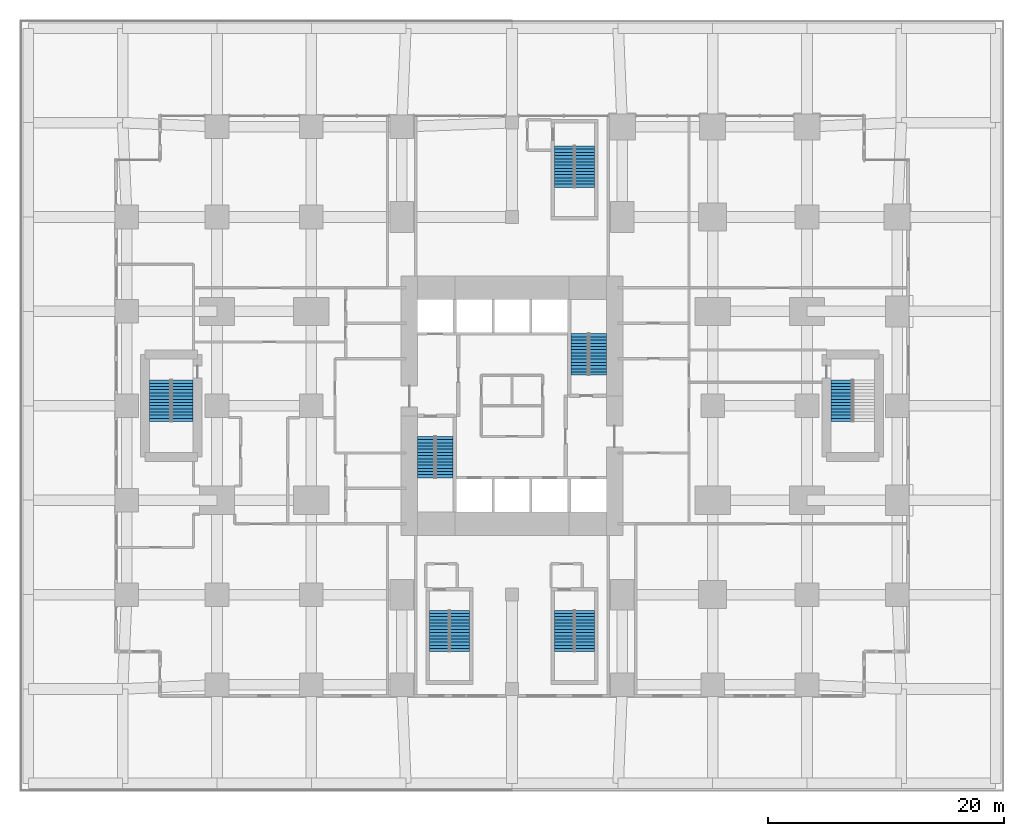
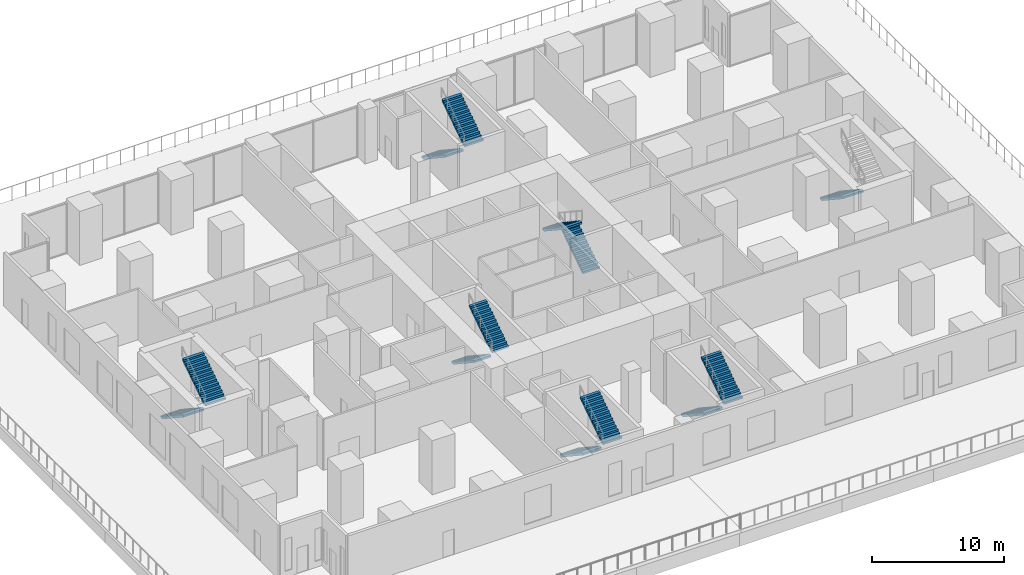
# One storey, part 12 of 16: 13 stair flights, 7 elements without a shape of their own.
"""IFC4 building model written with IfcOpenShell, lengths in metres."""

from ifc_helpers import new_model, si_unit, direction, frame, origin, place, context, subcontext, project, spatial, polyline, outline, extrude, material, type_object, element, aggregate, save


model = new_model("IFC4")

# Units and contexts
model_context = context("Model", 3, precision=1e-05, world=origin(), true_north=direction((0.0, 1.0)))
body_context = subcontext(model_context, "Body", "Model", "MODEL_VIEW")
ifc_project = project(units=[si_unit("LENGTHUNIT", "METRE"), si_unit("AREAUNIT", "SQUARE_METRE"), si_unit("VOLUMEUNIT", "CUBIC_METRE"), si_unit("PLANEANGLEUNIT", "RADIAN"), si_unit("MASSUNIT", "GRAM", prefix="KILO")], contexts=[model_context])

# Site, building, storey
site_placement = place(None, origin())
site = spatial("IfcSite", under=ifc_project, at=site_placement, CompositionType="ELEMENT")
building_placement = place(site_placement, origin())
building = spatial("IfcBuilding", under=site, at=building_placement, Name="Cleftline Residences", CompositionType="ELEMENT")
storey_placement = place(building_placement, frame((0.0, 0.0, 16.0)))
storey = spatial("IfcBuildingStorey", under=building, at=storey_placement, Name="L03", CompositionType="ELEMENT", Elevation=16.0)

# Stair, stair flights
ifc_material_1 = material(Name="Concrete B45, stone treads", Category="masonry")
stair_type_1 = type_object("IfcStairType", Name="STAIR A 1450 WIDE 179 RISER", PredefinedType="HALF_TURN_STAIR", material=ifc_material_1)
stair_1_placement = place(storey_placement, origin())
stair_1 = element("IfcStair", 1, at=stair_1_placement, inside=storey, type_object=stair_type_1, Name="Stair A L03", PredefinedType="HALF_TURN_STAIR")
ifc_material_2 = material(Name="Concrete B45", Category="concrete")
stair_flight_type_1 = type_object("IfcStairFlightType", Name="STAIR A FLIGHT 1450X179", PredefinedType="STRAIGHT", material=ifc_material_2)
stair_flight_1_placement = place(storey_placement, frame((25.72509765625, 21.39990234375, 0.0), z_axis=(0.0, 0.0, 1.0), x_axis=(0.0, -1.0, 0.0)))
stair_flight_1 = element("IfcStairFlight", 2, at=stair_flight_1_placement, type_object=stair_flight_type_1, Name="ST-A flight 1", NumberOfRisers=14, NumberOfTreads=13, PredefinedType="STRAIGHT", RiserHeight=0.178571429, TreadLength=0.27, context=body_context, shape_type="SweptSolid", body=[
    extrude(outline(polyline([(0.0, 0.0), (0.0, 0.013671875), (0.0, 0.027587890625), (0.0, 0.041259765625), (0.0, 0.054931640625), (0.0, 0.068603515625), (0.0, 0.08251953125), (0.0, 0.09619140625), (0.0, 0.10986328125), (0.0, 0.12353515625), (0.0, 0.137451171875), (0.0, 0.151123046875), (0.0, 0.164794921875), (0.0, 0.178466796875), (0.27001953125, 0.178466796875), (0.27001953125, 0.357177734375), (0.5400390625, 0.357177734375), (0.5400390625, 0.53564453125), (0.81005859375, 0.53564453125), (0.81005859375, 0.71435546875), (1.080078125, 0.71435546875), (1.080078125, 0.892822265625), (1.35009765625, 0.892822265625), (1.35009765625, 1.071533203125), (1.6201171875, 1.071533203125), (1.6201171875, 1.25), (1.889892578125, 1.25), (1.889892578125, 1.428466796875), (2.159912109375, 1.428466796875), (2.159912109375, 1.607177734375), (2.429931640625, 1.607177734375), (2.429931640625, 1.78564453125), (2.699951171875, 1.78564453125), (2.699951171875, 1.96435546875), (2.969970703125, 1.96435546875), (2.969970703125, 2.142822265625), (3.239990234375, 2.142822265625), (3.239990234375, 2.321533203125), (3.510009765625, 2.321533203125), (3.510009765625, 2.5), (3.510009765625, 2.472412109375), (3.510009765625, 2.44482421875), (3.510009765625, 2.417236328125), (3.510009765625, 2.3896484375), (3.510009765625, 2.3623046875), (3.510009765625, 2.334716796875), (3.510009765625, 2.30712890625), (3.510009765625, 2.279541015625), (3.510009765625, 2.251953125), (3.510009765625, 2.224365234375), (3.510009765625, 2.19677734375), (3.510009765625, 2.169189453125), (3.510009765625, 2.1416015625), (0.271728515625, 0.0), (0.0, 0.0)])), frame((0.0, 0.72509765625, 0.0), z_axis=(0.0, -1.0, 0.0), x_axis=(1.0, 0.0, 0.0)), (0.0, 0.0, 1.0), 1.449951171875),
])
stair_flight_2_placement = place(storey_placement, frame((27.27490234375, 17.889892578125, 2.5), z_axis=(0.0, 0.0, 1.0), x_axis=(0.0, 1.0, 0.0)))
stair_flight_2 = element("IfcStairFlight", 3, at=stair_flight_2_placement, type_object=stair_flight_type_1, Name="ST-A flight 2", NumberOfRisers=14, NumberOfTreads=13, PredefinedType="STRAIGHT", RiserHeight=0.178571429, TreadLength=0.27, context=body_context, shape_type="SweptSolid", body=[
    extrude(outline(polyline([(0.0, 0.0), (0.0, 0.013671875), (0.0, 0.027587890625), (0.0, 0.041259765625), (0.0, 0.054931640625), (0.0, 0.068603515625), (0.0, 0.08251953125), (0.0, 0.09619140625), (0.0, 0.10986328125), (0.0, 0.12353515625), (0.0, 0.137451171875), (0.0, 0.151123046875), (0.0, 0.164794921875), (0.0, 0.178466796875), (0.27001953125, 0.178466796875), (0.27001953125, 0.357177734375), (0.5400390625, 0.357177734375), (0.5400390625, 0.53564453125), (0.81005859375, 0.53564453125), (0.81005859375, 0.71435546875), (1.080078125, 0.71435546875), (1.080078125, 0.892822265625), (1.35009765625, 0.892822265625), (1.35009765625, 1.071533203125), (1.6201171875, 1.071533203125), (1.6201171875, 1.25), (1.889892578125, 1.25), (1.889892578125, 1.428466796875), (2.159912109375, 1.428466796875), (2.159912109375, 1.607177734375), (2.429931640625, 1.607177734375), (2.429931640625, 1.78564453125), (2.699951171875, 1.78564453125), (2.699951171875, 1.96435546875), (2.969970703125, 1.96435546875), (2.969970703125, 2.142822265625), (3.239990234375, 2.142822265625), (3.239990234375, 2.321533203125), (3.510009765625, 2.321533203125), (3.510009765625, 2.5), (3.510009765625, 2.472412109375), (3.510009765625, 2.44482421875), (3.510009765625, 2.417236328125), (3.510009765625, 2.3896484375), (3.510009765625, 2.3623046875), (3.510009765625, 2.334716796875), (3.510009765625, 2.30712890625), (3.510009765625, 2.279541015625), (3.510009765625, 2.251953125), (3.510009765625, 2.224365234375), (3.510009765625, 2.19677734375), (3.510009765625, 2.169189453125), (3.510009765625, 2.1416015625), (0.271728515625, 0.0), (0.0, 0.0)])), frame((0.0, 0.72509765625, 0.0), z_axis=(0.0, -1.0, 0.0), x_axis=(1.0, 0.0, 0.0)), (0.0, 0.0, 1.0), 1.449951171875),
])
aggregate(stair_1, [stair_flight_1, stair_flight_2])

ifc_material_3 = material(Name="Concrete B45, stone treads", Category="masonry")
stair_type_2 = type_object("IfcStairType", Name="STAIR B 1450 WIDE 179 RISER", PredefinedType="HALF_TURN_STAIR", material=ifc_material_3)
stair_2_placement = place(storey_placement, origin())
stair_2 = element("IfcStair", 4, at=stair_2_placement, inside=storey, type_object=stair_type_2, Name="Stair B L03", PredefinedType="HALF_TURN_STAIR")
ifc_material_4 = material(Name="Concrete B45", Category="concrete")
stair_flight_type_2 = type_object("IfcStairFlightType", Name="STAIR B FLIGHT 1450X179", PredefinedType="STRAIGHT", material=ifc_material_4)
stair_flight_3_placement = place(storey_placement, frame((40.27490234375, 26.60009765625, 0.0), z_axis=(0.0, 0.0, 1.0), x_axis=(0.0, 1.0, 0.0)))
stair_flight_3 = element("IfcStairFlight", 5, at=stair_flight_3_placement, type_object=stair_flight_type_2, Name="ST-B flight 1", NumberOfRisers=14, NumberOfTreads=13, PredefinedType="STRAIGHT", RiserHeight=0.178571429, TreadLength=0.27, context=body_context, shape_type="SweptSolid", body=[
    extrude(outline(polyline([(0.0, 0.0), (0.0, 0.013671875), (0.0, 0.027587890625), (0.0, 0.041259765625), (0.0, 0.054931640625), (0.0, 0.068603515625), (0.0, 0.08251953125), (0.0, 0.09619140625), (0.0, 0.10986328125), (0.0, 0.12353515625), (0.0, 0.137451171875), (0.0, 0.151123046875), (0.0, 0.164794921875), (0.0, 0.178466796875), (0.27001953125, 0.178466796875), (0.27001953125, 0.357177734375), (0.5400390625, 0.357177734375), (0.5400390625, 0.53564453125), (0.81005859375, 0.53564453125), (0.81005859375, 0.71435546875), (1.080078125, 0.71435546875), (1.080078125, 0.892822265625), (1.35009765625, 0.892822265625), (1.35009765625, 1.071533203125), (1.6201171875, 1.071533203125), (1.6201171875, 1.25), (1.889892578125, 1.25), (1.889892578125, 1.428466796875), (2.159912109375, 1.428466796875), (2.159912109375, 1.607177734375), (2.429931640625, 1.607177734375), (2.429931640625, 1.78564453125), (2.699951171875, 1.78564453125), (2.699951171875, 1.96435546875), (2.969970703125, 1.96435546875), (2.969970703125, 2.142822265625), (3.239990234375, 2.142822265625), (3.239990234375, 2.321533203125), (3.510009765625, 2.321533203125), (3.510009765625, 2.5), (3.510009765625, 2.472412109375), (3.510009765625, 2.44482421875), (3.510009765625, 2.417236328125), (3.510009765625, 2.3896484375), (3.510009765625, 2.3623046875), (3.510009765625, 2.334716796875), (3.510009765625, 2.30712890625), (3.510009765625, 2.279541015625), (3.510009765625, 2.251953125), (3.510009765625, 2.224365234375), (3.510009765625, 2.19677734375), (3.510009765625, 2.169189453125), (3.510009765625, 2.1416015625), (0.271728515625, 0.0), (0.0, 0.0)])), frame((0.0, 0.72509765625, 0.0), z_axis=(0.0, -1.0, 0.0), x_axis=(1.0, 0.0, 0.0)), (0.0, 0.0, 1.0), 1.449951171875),
])
stair_flight_4_placement = place(storey_placement, frame((38.72509765625, 30.110107421875, 2.5), z_axis=(0.0, 0.0, 1.0), x_axis=(0.0, -1.0, 0.0)))
stair_flight_4 = element("IfcStairFlight", 6, at=stair_flight_4_placement, type_object=stair_flight_type_2, Name="ST-B flight 2", NumberOfRisers=14, NumberOfTreads=13, PredefinedType="STRAIGHT", RiserHeight=0.178571429, TreadLength=0.27, context=body_context, shape_type="SweptSolid", body=[
    extrude(outline(polyline([(0.0, 0.0), (0.0, 0.013671875), (0.0, 0.027587890625), (0.0, 0.041259765625), (0.0, 0.054931640625), (0.0, 0.068603515625), (0.0, 0.08251953125), (0.0, 0.09619140625), (0.0, 0.10986328125), (0.0, 0.12353515625), (0.0, 0.137451171875), (0.0, 0.151123046875), (0.0, 0.164794921875), (0.0, 0.178466796875), (0.27001953125, 0.178466796875), (0.27001953125, 0.357177734375), (0.5400390625, 0.357177734375), (0.5400390625, 0.53564453125), (0.81005859375, 0.53564453125), (0.81005859375, 0.71435546875), (1.080078125, 0.71435546875), (1.080078125, 0.892822265625), (1.35009765625, 0.892822265625), (1.35009765625, 1.071533203125), (1.6201171875, 1.071533203125), (1.6201171875, 1.25), (1.889892578125, 1.25), (1.889892578125, 1.428466796875), (2.159912109375, 1.428466796875), (2.159912109375, 1.607177734375), (2.429931640625, 1.607177734375), (2.429931640625, 1.78564453125), (2.699951171875, 1.78564453125), (2.699951171875, 1.96435546875), (2.969970703125, 1.96435546875), (2.969970703125, 2.142822265625), (3.239990234375, 2.142822265625), (3.239990234375, 2.321533203125), (3.510009765625, 2.321533203125), (3.510009765625, 2.5), (3.510009765625, 2.472412109375), (3.510009765625, 2.44482421875), (3.510009765625, 2.417236328125), (3.510009765625, 2.3896484375), (3.510009765625, 2.3623046875), (3.510009765625, 2.334716796875), (3.510009765625, 2.30712890625), (3.510009765625, 2.279541015625), (3.510009765625, 2.251953125), (3.510009765625, 2.224365234375), (3.510009765625, 2.19677734375), (3.510009765625, 2.169189453125), (3.510009765625, 2.1416015625), (0.271728515625, 0.0), (0.0, 0.0)])), frame((0.0, 0.72509765625, 0.0), z_axis=(0.0, -1.0, 0.0), x_axis=(1.0, 0.0, 0.0)), (0.0, 0.0, 1.0), 1.449951171875),
])
aggregate(stair_2, [stair_flight_3, stair_flight_4])

ifc_material_5 = material(Name="Concrete B45, stone treads", Category="masonry")
stair_type_3 = type_object("IfcStairType", Name="STAIR C 1630 WIDE 179 RISER", PredefinedType="HALF_TURN_STAIR", material=ifc_material_5)
stair_3_placement = place(storey_placement, origin())
stair_3 = element("IfcStair", 7, at=stair_3_placement, inside=storey, type_object=stair_type_3, Name="Stair C L03", PredefinedType="HALF_TURN_STAIR")
ifc_material_6 = material(Name="Concrete B45", Category="concrete")
stair_flight_type_3 = type_object("IfcStairFlightType", Name="STAIR C FLIGHT 1630X179", PredefinedType="STRAIGHT", material=ifc_material_6)
stair_flight_5_placement = place(storey_placement, frame((26.81494140625, 6.669921875, 0.0), z_axis=(0.0, 0.0, 1.0), x_axis=(0.0, -1.0, 0.0)))
stair_flight_5 = element("IfcStairFlight", 8, at=stair_flight_5_placement, type_object=stair_flight_type_3, Name="ST-C flight 1", NumberOfRisers=14, NumberOfTreads=13, PredefinedType="STRAIGHT", RiserHeight=0.178571429, TreadLength=0.27, context=body_context, shape_type="SweptSolid", body=[
    extrude(outline(polyline([(0.0, 0.0), (0.0, 0.013671875), (0.0, 0.027587890625), (0.0, 0.041259765625), (0.0, 0.054931640625), (0.0, 0.068603515625), (0.0, 0.08251953125), (0.0, 0.09619140625), (0.0, 0.10986328125), (0.0, 0.12353515625), (0.0, 0.137451171875), (0.0, 0.151123046875), (0.0, 0.164794921875), (0.0, 0.178466796875), (0.27001953125, 0.178466796875), (0.27001953125, 0.357177734375), (0.5400390625, 0.357177734375), (0.5400390625, 0.53564453125), (0.81005859375, 0.53564453125), (0.81005859375, 0.71435546875), (1.080078125, 0.71435546875), (1.080078125, 0.892822265625), (1.35009765625, 0.892822265625), (1.35009765625, 1.071533203125), (1.6201171875, 1.071533203125), (1.6201171875, 1.25), (1.889892578125, 1.25), (1.889892578125, 1.428466796875), (2.159912109375, 1.428466796875), (2.159912109375, 1.607177734375), (2.429931640625, 1.607177734375), (2.429931640625, 1.78564453125), (2.699951171875, 1.78564453125), (2.699951171875, 1.96435546875), (2.969970703125, 1.96435546875), (2.969970703125, 2.142822265625), (3.239990234375, 2.142822265625), (3.239990234375, 2.321533203125), (3.510009765625, 2.321533203125), (3.510009765625, 2.5), (3.510009765625, 2.472412109375), (3.510009765625, 2.44482421875), (3.510009765625, 2.417236328125), (3.510009765625, 2.3896484375), (3.510009765625, 2.3623046875), (3.510009765625, 2.334716796875), (3.510009765625, 2.30712890625), (3.510009765625, 2.279541015625), (3.510009765625, 2.251953125), (3.510009765625, 2.224365234375), (3.510009765625, 2.19677734375), (3.510009765625, 2.169189453125), (3.510009765625, 2.1416015625), (0.271728515625, 0.0), (0.0, 0.0)])), frame((0.0, 0.81494140625, 0.0), z_axis=(0.0, -1.0, 0.0), x_axis=(1.0, 0.0, 0.0)), (0.0, 0.0, 1.0), 1.6298828125),
])
stair_flight_6_placement = place(storey_placement, frame((28.5849609375, 3.159912109375, 2.5), z_axis=(0.0, 0.0, 1.0), x_axis=(0.0, 1.0, 0.0)))
stair_flight_6 = element("IfcStairFlight", 9, at=stair_flight_6_placement, type_object=stair_flight_type_3, Name="ST-C flight 2", NumberOfRisers=14, NumberOfTreads=13, PredefinedType="STRAIGHT", RiserHeight=0.178571429, TreadLength=0.27, context=body_context, shape_type="SweptSolid", body=[
    extrude(outline(polyline([(0.0, 0.0), (0.0, 0.013671875), (0.0, 0.027587890625), (0.0, 0.041259765625), (0.0, 0.054931640625), (0.0, 0.068603515625), (0.0, 0.08251953125), (0.0, 0.09619140625), (0.0, 0.10986328125), (0.0, 0.12353515625), (0.0, 0.137451171875), (0.0, 0.151123046875), (0.0, 0.164794921875), (0.0, 0.178466796875), (0.27001953125, 0.178466796875), (0.27001953125, 0.357177734375), (0.5400390625, 0.357177734375), (0.5400390625, 0.53564453125), (0.81005859375, 0.53564453125), (0.81005859375, 0.71435546875), (1.080078125, 0.71435546875), (1.080078125, 0.892822265625), (1.35009765625, 0.892822265625), (1.35009765625, 1.071533203125), (1.6201171875, 1.071533203125), (1.6201171875, 1.25), (1.889892578125, 1.25), (1.889892578125, 1.428466796875), (2.159912109375, 1.428466796875), (2.159912109375, 1.607177734375), (2.429931640625, 1.607177734375), (2.429931640625, 1.78564453125), (2.699951171875, 1.78564453125), (2.699951171875, 1.96435546875), (2.969970703125, 1.96435546875), (2.969970703125, 2.142822265625), (3.239990234375, 2.142822265625), (3.239990234375, 2.321533203125), (3.510009765625, 2.321533203125), (3.510009765625, 2.5), (3.510009765625, 2.472412109375), (3.510009765625, 2.44482421875), (3.510009765625, 2.417236328125), (3.510009765625, 2.3896484375), (3.510009765625, 2.3623046875), (3.510009765625, 2.334716796875), (3.510009765625, 2.30712890625), (3.510009765625, 2.279541015625), (3.510009765625, 2.251953125), (3.510009765625, 2.224365234375), (3.510009765625, 2.19677734375), (3.510009765625, 2.169189453125), (3.510009765625, 2.1416015625), (0.271728515625, 0.0), (0.0, 0.0)])), frame((0.0, 0.81494140625, 0.0), z_axis=(0.0, -1.0, 0.0), x_axis=(1.0, 0.0, 0.0)), (0.0, 0.0, 1.0), 1.6298828125),
])
aggregate(stair_3, [stair_flight_5, stair_flight_6])

ifc_material_7 = material(Name="Concrete B45, stone treads", Category="masonry")
stair_type_4 = type_object("IfcStairType", Name="STAIR C2 1630 WIDE 179 RISER", PredefinedType="HALF_TURN_STAIR", material=ifc_material_7)
stair_4_placement = place(storey_placement, origin())
stair_4 = element("IfcStair", 10, at=stair_4_placement, inside=storey, type_object=stair_type_4, Name="Stair C2 L03", PredefinedType="HALF_TURN_STAIR")
ifc_material_8 = material(Name="Concrete B45", Category="concrete")
stair_flight_type_4 = type_object("IfcStairFlightType", Name="STAIR C2 FLIGHT 1630X179", PredefinedType="STRAIGHT", material=ifc_material_8)
stair_flight_7_placement = place(storey_placement, frame((37.4150390625, 6.669921875, 0.0), z_axis=(0.0, 0.0, 1.0), x_axis=(0.0, -1.0, 0.0)))
stair_flight_7 = element("IfcStairFlight", 11, at=stair_flight_7_placement, type_object=stair_flight_type_4, Name="ST-C2 flight 1", NumberOfRisers=14, NumberOfTreads=13, PredefinedType="STRAIGHT", RiserHeight=0.178571429, TreadLength=0.27, context=body_context, shape_type="SweptSolid", body=[
    extrude(outline(polyline([(0.0, 0.0), (0.0, 0.013671875), (0.0, 0.027587890625), (0.0, 0.041259765625), (0.0, 0.054931640625), (0.0, 0.068603515625), (0.0, 0.08251953125), (0.0, 0.09619140625), (0.0, 0.10986328125), (0.0, 0.12353515625), (0.0, 0.137451171875), (0.0, 0.151123046875), (0.0, 0.164794921875), (0.0, 0.178466796875), (0.27001953125, 0.178466796875), (0.27001953125, 0.357177734375), (0.5400390625, 0.357177734375), (0.5400390625, 0.53564453125), (0.81005859375, 0.53564453125), (0.81005859375, 0.71435546875), (1.080078125, 0.71435546875), (1.080078125, 0.892822265625), (1.35009765625, 0.892822265625), (1.35009765625, 1.071533203125), (1.6201171875, 1.071533203125), (1.6201171875, 1.25), (1.889892578125, 1.25), (1.889892578125, 1.428466796875), (2.159912109375, 1.428466796875), (2.159912109375, 1.607177734375), (2.429931640625, 1.607177734375), (2.429931640625, 1.78564453125), (2.699951171875, 1.78564453125), (2.699951171875, 1.96435546875), (2.969970703125, 1.96435546875), (2.969970703125, 2.142822265625), (3.239990234375, 2.142822265625), (3.239990234375, 2.321533203125), (3.510009765625, 2.321533203125), (3.510009765625, 2.5), (3.510009765625, 2.472412109375), (3.510009765625, 2.44482421875), (3.510009765625, 2.417236328125), (3.510009765625, 2.3896484375), (3.510009765625, 2.3623046875), (3.510009765625, 2.334716796875), (3.510009765625, 2.30712890625), (3.510009765625, 2.279541015625), (3.510009765625, 2.251953125), (3.510009765625, 2.224365234375), (3.510009765625, 2.19677734375), (3.510009765625, 2.169189453125), (3.510009765625, 2.1416015625), (0.271728515625, 0.0), (0.0, 0.0)])), frame((0.0, 0.81494140625, 0.0), z_axis=(0.0, -1.0, 0.0), x_axis=(1.0, 0.0, 0.0)), (0.0, 0.0, 1.0), 1.6298828125),
])
stair_flight_8_placement = place(storey_placement, frame((39.18505859375, 3.159912109375, 2.5), z_axis=(0.0, 0.0, 1.0), x_axis=(0.0, 1.0, 0.0)))
stair_flight_8 = element("IfcStairFlight", 12, at=stair_flight_8_placement, type_object=stair_flight_type_4, Name="ST-C2 flight 2", NumberOfRisers=14, NumberOfTreads=13, PredefinedType="STRAIGHT", RiserHeight=0.178571429, TreadLength=0.27, context=body_context, shape_type="SweptSolid", body=[
    extrude(outline(polyline([(0.0, 0.0), (0.0, 0.013671875), (0.0, 0.027587890625), (0.0, 0.041259765625), (0.0, 0.054931640625), (0.0, 0.068603515625), (0.0, 0.08251953125), (0.0, 0.09619140625), (0.0, 0.10986328125), (0.0, 0.12353515625), (0.0, 0.137451171875), (0.0, 0.151123046875), (0.0, 0.164794921875), (0.0, 0.178466796875), (0.27001953125, 0.178466796875), (0.27001953125, 0.357177734375), (0.5400390625, 0.357177734375), (0.5400390625, 0.53564453125), (0.81005859375, 0.53564453125), (0.81005859375, 0.71435546875), (1.080078125, 0.71435546875), (1.080078125, 0.892822265625), (1.35009765625, 0.892822265625), (1.35009765625, 1.071533203125), (1.6201171875, 1.071533203125), (1.6201171875, 1.25), (1.889892578125, 1.25), (1.889892578125, 1.428466796875), (2.159912109375, 1.428466796875), (2.159912109375, 1.607177734375), (2.429931640625, 1.607177734375), (2.429931640625, 1.78564453125), (2.699951171875, 1.78564453125), (2.699951171875, 1.96435546875), (2.969970703125, 1.96435546875), (2.969970703125, 2.142822265625), (3.239990234375, 2.142822265625), (3.239990234375, 2.321533203125), (3.510009765625, 2.321533203125), (3.510009765625, 2.5), (3.510009765625, 2.472412109375), (3.510009765625, 2.44482421875), (3.510009765625, 2.417236328125), (3.510009765625, 2.3896484375), (3.510009765625, 2.3623046875), (3.510009765625, 2.334716796875), (3.510009765625, 2.30712890625), (3.510009765625, 2.279541015625), (3.510009765625, 2.251953125), (3.510009765625, 2.224365234375), (3.510009765625, 2.19677734375), (3.510009765625, 2.169189453125), (3.510009765625, 2.1416015625), (0.271728515625, 0.0), (0.0, 0.0)])), frame((0.0, 0.81494140625, 0.0), z_axis=(0.0, -1.0, 0.0), x_axis=(1.0, 0.0, 0.0)), (0.0, 0.0, 1.0), 1.6298828125),
])
aggregate(stair_4, [stair_flight_7, stair_flight_8])

ifc_material_9 = material(Name="Concrete B45, stone treads", Category="masonry")
stair_type_5 = type_object("IfcStairType", Name="STAIR D 1630 WIDE 179 RISER", PredefinedType="HALF_TURN_STAIR", material=ifc_material_9)
stair_5_placement = place(storey_placement, origin())
stair_5 = element("IfcStair", 13, at=stair_5_placement, inside=storey, type_object=stair_type_5, Name="Stair D L03", PredefinedType="HALF_TURN_STAIR")
ifc_material_10 = material(Name="Concrete B45", Category="concrete")
stair_flight_type_5 = type_object("IfcStairFlightType", Name="STAIR D FLIGHT 1630X179", PredefinedType="STRAIGHT", material=ifc_material_10)
stair_flight_9_placement = place(storey_placement, frame((37.4150390625, 46.02001953125, 0.0), z_axis=(0.0, 0.0, 1.0), x_axis=(0.0, -1.0, 0.0)))
stair_flight_9 = element("IfcStairFlight", 14, at=stair_flight_9_placement, type_object=stair_flight_type_5, Name="ST-D flight 1", NumberOfRisers=14, NumberOfTreads=13, PredefinedType="STRAIGHT", RiserHeight=0.178571429, TreadLength=0.27, context=body_context, shape_type="SweptSolid", body=[
    extrude(outline(polyline([(0.0, 0.0), (0.0, 0.013671875), (0.0, 0.027587890625), (0.0, 0.041259765625), (0.0, 0.054931640625), (0.0, 0.068603515625), (0.0, 0.08251953125), (0.0, 0.09619140625), (0.0, 0.10986328125), (0.0, 0.12353515625), (0.0, 0.137451171875), (0.0, 0.151123046875), (0.0, 0.164794921875), (0.0, 0.178466796875), (0.27001953125, 0.178466796875), (0.27001953125, 0.357177734375), (0.5400390625, 0.357177734375), (0.5400390625, 0.53564453125), (0.81005859375, 0.53564453125), (0.81005859375, 0.71435546875), (1.080078125, 0.71435546875), (1.080078125, 0.892822265625), (1.35009765625, 0.892822265625), (1.35009765625, 1.071533203125), (1.6201171875, 1.071533203125), (1.6201171875, 1.25), (1.889892578125, 1.25), (1.889892578125, 1.428466796875), (2.159912109375, 1.428466796875), (2.159912109375, 1.607177734375), (2.429931640625, 1.607177734375), (2.429931640625, 1.78564453125), (2.699951171875, 1.78564453125), (2.699951171875, 1.96435546875), (2.969970703125, 1.96435546875), (2.969970703125, 2.142822265625), (3.239990234375, 2.142822265625), (3.239990234375, 2.321533203125), (3.510009765625, 2.321533203125), (3.510009765625, 2.5), (3.510009765625, 2.472412109375), (3.510009765625, 2.44482421875), (3.510009765625, 2.417236328125), (3.510009765625, 2.3896484375), (3.510009765625, 2.3623046875), (3.510009765625, 2.334716796875), (3.510009765625, 2.30712890625), (3.510009765625, 2.279541015625), (3.510009765625, 2.251953125), (3.510009765625, 2.224365234375), (3.510009765625, 2.19677734375), (3.510009765625, 2.169189453125), (3.510009765625, 2.1416015625), (0.271728515625, 0.0), (0.0, 0.0)])), frame((0.0, 0.81494140625, 0.0), z_axis=(0.0, -1.0, 0.0), x_axis=(1.0, 0.0, 0.0)), (0.0, 0.0, 1.0), 1.6298828125),
])
stair_flight_10_placement = place(storey_placement, frame((39.18505859375, 42.510009765625, 2.5), z_axis=(0.0, 0.0, 1.0), x_axis=(0.0, 1.0, 0.0)))
stair_flight_10 = element("IfcStairFlight", 15, at=stair_flight_10_placement, type_object=stair_flight_type_5, Name="ST-D flight 2", NumberOfRisers=14, NumberOfTreads=13, PredefinedType="STRAIGHT", RiserHeight=0.178571429, TreadLength=0.27, context=body_context, shape_type="SweptSolid", body=[
    extrude(outline(polyline([(0.0, 0.0), (0.0, 0.013671875), (0.0, 0.027587890625), (0.0, 0.041259765625), (0.0, 0.054931640625), (0.0, 0.068603515625), (0.0, 0.08251953125), (0.0, 0.09619140625), (0.0, 0.10986328125), (0.0, 0.12353515625), (0.0, 0.137451171875), (0.0, 0.151123046875), (0.0, 0.164794921875), (0.0, 0.178466796875), (0.27001953125, 0.178466796875), (0.27001953125, 0.357177734375), (0.5400390625, 0.357177734375), (0.5400390625, 0.53564453125), (0.81005859375, 0.53564453125), (0.81005859375, 0.71435546875), (1.080078125, 0.71435546875), (1.080078125, 0.892822265625), (1.35009765625, 0.892822265625), (1.35009765625, 1.071533203125), (1.6201171875, 1.071533203125), (1.6201171875, 1.25), (1.889892578125, 1.25), (1.889892578125, 1.428466796875), (2.159912109375, 1.428466796875), (2.159912109375, 1.607177734375), (2.429931640625, 1.607177734375), (2.429931640625, 1.78564453125), (2.699951171875, 1.78564453125), (2.699951171875, 1.96435546875), (2.969970703125, 1.96435546875), (2.969970703125, 2.142822265625), (3.239990234375, 2.142822265625), (3.239990234375, 2.321533203125), (3.510009765625, 2.321533203125), (3.510009765625, 2.5), (3.510009765625, 2.472412109375), (3.510009765625, 2.44482421875), (3.510009765625, 2.417236328125), (3.510009765625, 2.3896484375), (3.510009765625, 2.3623046875), (3.510009765625, 2.334716796875), (3.510009765625, 2.30712890625), (3.510009765625, 2.279541015625), (3.510009765625, 2.251953125), (3.510009765625, 2.224365234375), (3.510009765625, 2.19677734375), (3.510009765625, 2.169189453125), (3.510009765625, 2.1416015625), (0.271728515625, 0.0), (0.0, 0.0)])), frame((0.0, 0.81494140625, 0.0), z_axis=(0.0, -1.0, 0.0), x_axis=(1.0, 0.0, 0.0)), (0.0, 0.0, 1.0), 1.6298828125),
])
aggregate(stair_5, [stair_flight_9, stair_flight_10])

# Stair, stair flight
ifc_material_11 = material(Name="Concrete B45, stone treads", Category="masonry")
stair_type_6 = type_object("IfcStairType", Name="STAIR E 1800 WIDE 179 RISER", PredefinedType="HALF_TURN_STAIR", material=ifc_material_11)
stair_6_placement = place(storey_placement, origin())
stair_6 = element("IfcStair", 16, at=stair_6_placement, inside=storey, type_object=stair_type_6, Name="Stair E L03", PredefinedType="HALF_TURN_STAIR")
ifc_material_12 = material(Name="Concrete B45", Category="concrete")
stair_flight_type_6 = type_object("IfcStairFlightType", Name="STAIR E FLIGHT 1800X179", PredefinedType="STRAIGHT", material=ifc_material_12)
stair_flight_11_placement = place(storey_placement, frame((60.925048828125, 26.175048828125, 0.0), z_axis=(0.0, 0.0, 1.0), x_axis=(0.0, -1.0, 0.0)))
stair_flight_11 = element("IfcStairFlight", 17, at=stair_flight_11_placement, type_object=stair_flight_type_6, Name="ST-E flight 1", NumberOfRisers=14, NumberOfTreads=13, PredefinedType="STRAIGHT", RiserHeight=0.178571429, TreadLength=0.27, context=body_context, shape_type="SweptSolid", body=[
    extrude(outline(polyline([(0.0, 0.0), (0.0, 0.013671875), (0.0, 0.027587890625), (0.0, 0.041259765625), (0.0, 0.054931640625), (0.0, 0.068603515625), (0.0, 0.08251953125), (0.0, 0.09619140625), (0.0, 0.10986328125), (0.0, 0.12353515625), (0.0, 0.137451171875), (0.0, 0.151123046875), (0.0, 0.164794921875), (0.0, 0.178466796875), (0.27001953125, 0.178466796875), (0.27001953125, 0.357177734375), (0.5400390625, 0.357177734375), (0.5400390625, 0.53564453125), (0.81005859375, 0.53564453125), (0.81005859375, 0.71435546875), (1.080078125, 0.71435546875), (1.080078125, 0.892822265625), (1.35009765625, 0.892822265625), (1.35009765625, 1.071533203125), (1.6201171875, 1.071533203125), (1.6201171875, 1.25), (1.889892578125, 1.25), (1.889892578125, 1.428466796875), (2.159912109375, 1.428466796875), (2.159912109375, 1.607177734375), (2.429931640625, 1.607177734375), (2.429931640625, 1.78564453125), (2.699951171875, 1.78564453125), (2.699951171875, 1.96435546875), (2.969970703125, 1.96435546875), (2.969970703125, 2.142822265625), (3.239990234375, 2.142822265625), (3.239990234375, 2.321533203125), (3.510009765625, 2.321533203125), (3.510009765625, 2.5), (3.510009765625, 2.472412109375), (3.510009765625, 2.44482421875), (3.510009765625, 2.417236328125), (3.510009765625, 2.3896484375), (3.510009765625, 2.3623046875), (3.510009765625, 2.334716796875), (3.510009765625, 2.30712890625), (3.510009765625, 2.279541015625), (3.510009765625, 2.251953125), (3.510009765625, 2.224365234375), (3.510009765625, 2.19677734375), (3.510009765625, 2.169189453125), (3.510009765625, 2.1416015625), (0.271728515625, 0.0), (0.0, 0.0)])), frame((0.0, 0.89990234375, 0.0), z_axis=(0.0, -1.0, 0.0), x_axis=(1.0, 0.0, 0.0)), (0.0, 0.0, 1.0), 1.800048828125),
])
aggregate(stair_6, [stair_flight_11])

# Stair, stair flights
ifc_material_13 = material(Name="Concrete B45, stone treads", Category="masonry")
stair_type_7 = type_object("IfcStairType", Name="STAIR W 1800 WIDE 179 RISER", PredefinedType="HALF_TURN_STAIR", material=ifc_material_13)
stair_7_placement = place(storey_placement, origin())
stair_7 = element("IfcStair", 18, at=stair_7_placement, inside=storey, type_object=stair_type_7, Name="Stair W L03", PredefinedType="HALF_TURN_STAIR")
ifc_material_14 = material(Name="Concrete B45", Category="concrete")
stair_flight_type_7 = type_object("IfcStairFlightType", Name="STAIR W FLIGHT 1800X179", PredefinedType="STRAIGHT", material=ifc_material_14)
stair_flight_12_placement = place(storey_placement, frame((3.175048828125, 26.175048828125, 0.0), z_axis=(0.0, 0.0, 1.0), x_axis=(0.0, -1.0, 0.0)))
stair_flight_12 = element("IfcStairFlight", 19, at=stair_flight_12_placement, type_object=stair_flight_type_7, Name="ST-W flight 1", NumberOfRisers=14, NumberOfTreads=13, PredefinedType="STRAIGHT", RiserHeight=0.178571429, TreadLength=0.27, context=body_context, shape_type="SweptSolid", body=[
    extrude(outline(polyline([(0.0, 0.0), (0.0, 0.013671875), (0.0, 0.027587890625), (0.0, 0.041259765625), (0.0, 0.054931640625), (0.0, 0.068603515625), (0.0, 0.08251953125), (0.0, 0.09619140625), (0.0, 0.10986328125), (0.0, 0.12353515625), (0.0, 0.137451171875), (0.0, 0.151123046875), (0.0, 0.164794921875), (0.0, 0.178466796875), (0.27001953125, 0.178466796875), (0.27001953125, 0.357177734375), (0.5400390625, 0.357177734375), (0.5400390625, 0.53564453125), (0.81005859375, 0.53564453125), (0.81005859375, 0.71435546875), (1.080078125, 0.71435546875), (1.080078125, 0.892822265625), (1.35009765625, 0.892822265625), (1.35009765625, 1.071533203125), (1.6201171875, 1.071533203125), (1.6201171875, 1.25), (1.889892578125, 1.25), (1.889892578125, 1.428466796875), (2.159912109375, 1.428466796875), (2.159912109375, 1.607177734375), (2.429931640625, 1.607177734375), (2.429931640625, 1.78564453125), (2.699951171875, 1.78564453125), (2.699951171875, 1.96435546875), (2.969970703125, 1.96435546875), (2.969970703125, 2.142822265625), (3.239990234375, 2.142822265625), (3.239990234375, 2.321533203125), (3.510009765625, 2.321533203125), (3.510009765625, 2.5), (3.510009765625, 2.472412109375), (3.510009765625, 2.44482421875), (3.510009765625, 2.417236328125), (3.510009765625, 2.3896484375), (3.510009765625, 2.3623046875), (3.510009765625, 2.334716796875), (3.510009765625, 2.30712890625), (3.510009765625, 2.279541015625), (3.510009765625, 2.251953125), (3.510009765625, 2.224365234375), (3.510009765625, 2.19677734375), (3.510009765625, 2.169189453125), (3.510009765625, 2.1416015625), (0.271728515625, 0.0), (0.0, 0.0)])), frame((0.0, 0.89990234375, 0.0), z_axis=(0.0, -1.0, 0.0), x_axis=(1.0, 0.0, 0.0)), (0.0, 0.0, 1.0), 1.800048828125),
])
stair_flight_13_placement = place(storey_placement, frame((5.074951171875, 22.6650390625, 2.5), z_axis=(0.0, 0.0, 1.0), x_axis=(0.0, 1.0, 0.0)))
stair_flight_13 = element("IfcStairFlight", 20, at=stair_flight_13_placement, type_object=stair_flight_type_7, Name="ST-W flight 2", NumberOfRisers=14, NumberOfTreads=13, PredefinedType="STRAIGHT", RiserHeight=0.178571429, TreadLength=0.27, context=body_context, shape_type="SweptSolid", body=[
    extrude(outline(polyline([(0.0, 0.0), (0.0, 0.013671875), (0.0, 0.027587890625), (0.0, 0.041259765625), (0.0, 0.054931640625), (0.0, 0.068603515625), (0.0, 0.08251953125), (0.0, 0.09619140625), (0.0, 0.10986328125), (0.0, 0.12353515625), (0.0, 0.137451171875), (0.0, 0.151123046875), (0.0, 0.164794921875), (0.0, 0.178466796875), (0.27001953125, 0.178466796875), (0.27001953125, 0.357177734375), (0.5400390625, 0.357177734375), (0.5400390625, 0.53564453125), (0.81005859375, 0.53564453125), (0.81005859375, 0.71435546875), (1.080078125, 0.71435546875), (1.080078125, 0.892822265625), (1.35009765625, 0.892822265625), (1.35009765625, 1.071533203125), (1.6201171875, 1.071533203125), (1.6201171875, 1.25), (1.889892578125, 1.25), (1.889892578125, 1.428466796875), (2.159912109375, 1.428466796875), (2.159912109375, 1.607177734375), (2.429931640625, 1.607177734375), (2.429931640625, 1.78564453125), (2.699951171875, 1.78564453125), (2.699951171875, 1.96435546875), (2.969970703125, 1.96435546875), (2.969970703125, 2.142822265625), (3.239990234375, 2.142822265625), (3.239990234375, 2.321533203125), (3.510009765625, 2.321533203125), (3.510009765625, 2.5), (3.510009765625, 2.472412109375), (3.510009765625, 2.44482421875), (3.510009765625, 2.417236328125), (3.510009765625, 2.3896484375), (3.510009765625, 2.3623046875), (3.510009765625, 2.334716796875), (3.510009765625, 2.30712890625), (3.510009765625, 2.279541015625), (3.510009765625, 2.251953125), (3.510009765625, 2.224365234375), (3.510009765625, 2.19677734375), (3.510009765625, 2.169189453125), (3.510009765625, 2.1416015625), (0.271728515625, 0.0), (0.0, 0.0)])), frame((0.0, 0.89990234375, 0.0), z_axis=(0.0, -1.0, 0.0), x_axis=(1.0, 0.0, 0.0)), (0.0, 0.0, 1.0), 1.800048828125),
])
aggregate(stair_7, [stair_flight_12, stair_flight_13])

save(model, "model.ifc")
